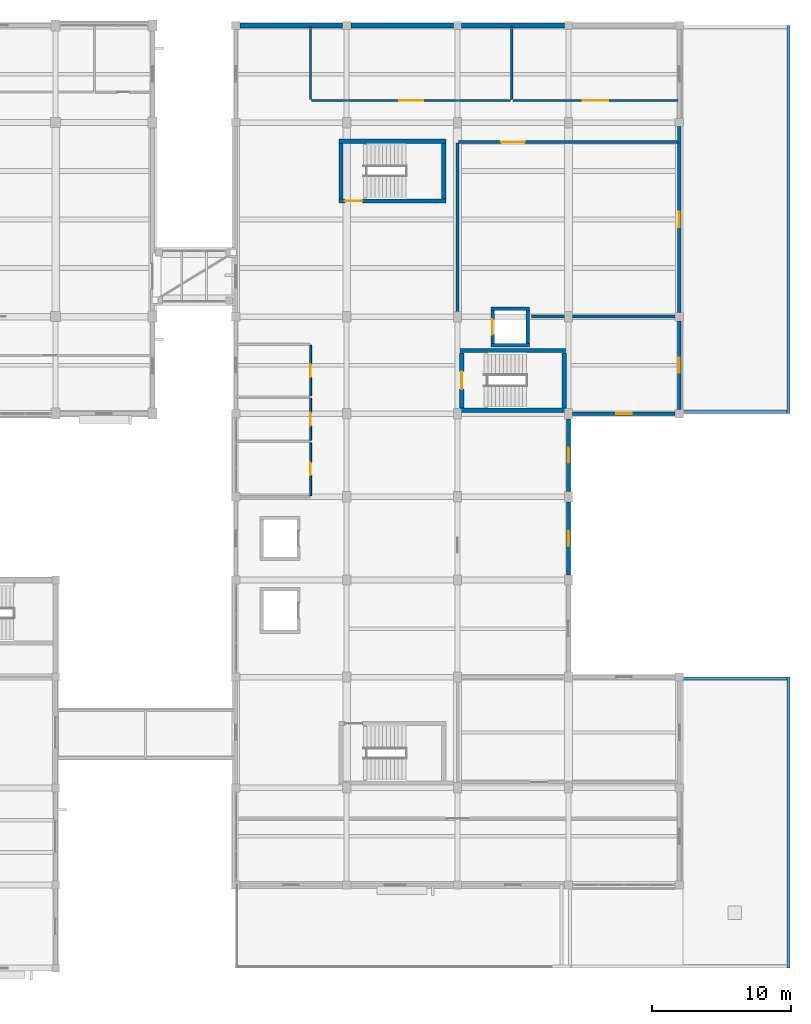
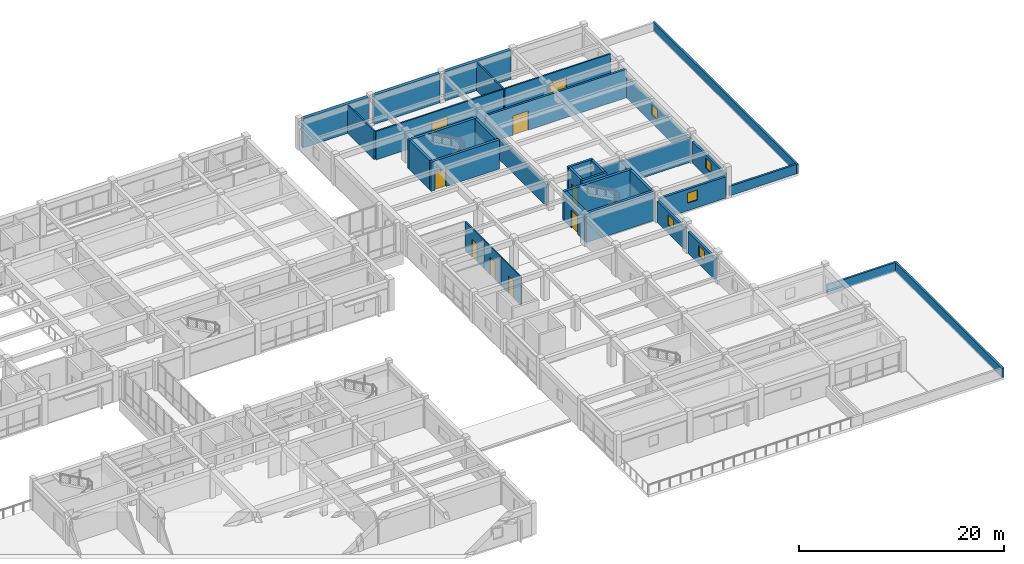
# One storey, part 33 of 42: 34 walls, 9 doors, 5 windows, 14 openings.
"""IFC4 building model written with IfcOpenShell, lengths in metres."""

from ifc_helpers import new_model, si_unit, direction, frame, frame_2d, origin, place, context, subcontext, project, spatial, rectangle, extrude, material, layer, layer_set, type_object, element, fill, save


model = new_model("IFC4")

# Units and contexts
model_context = context("Model", 3, precision=1e-05, world=origin(), true_north=direction((0.0, 1.0)))
body_context = subcontext(model_context, "Body", "Model", "MODEL_VIEW")
ifc_project = project(units=[si_unit("LENGTHUNIT", "METRE"), si_unit("AREAUNIT", "SQUARE_METRE"), si_unit("VOLUMEUNIT", "CUBIC_METRE"), si_unit("PLANEANGLEUNIT", "RADIAN"), si_unit("MASSUNIT", "GRAM", prefix="KILO")], contexts=[model_context])

# Site, building, storey
site_placement = place(None, origin())
site = spatial("IfcSite", under=ifc_project, at=site_placement, CompositionType="ELEMENT")
building_placement = place(site_placement, origin())
building = spatial("IfcBuilding", under=site, at=building_placement, Name="Naurynzar Civic Courthouse", CompositionType="ELEMENT")
storey_placement = place(building_placement, frame((0.0, 0.0, 18.300048828125)))
storey = spatial("IfcBuildingStorey", under=building, at=storey_placement, Name="L05", CompositionType="ELEMENT", Elevation=18.300048828125)

# Wall
ifc_material_1 = material(Name="Acoustic Double-Stud Gypsum Partition")
ifc_layer_1 = layer(ifc_material_1, 0.22998046875)
ifc_layer_set_1 = layer_set([ifc_layer_1], Name="WL-ACOUSTIC-230")
wall_type_1 = type_object("IfcWallType", Name="WL-ACOUSTIC-230", PredefinedType="PARTITIONING", material=ifc_layer_set_1)
wall_1_placement = place(storey_placement, frame((151.35009765625, 51.0, 0.0), z_axis=(0.0, 0.0, 1.0), x_axis=(1.0, 0.0, 0.0)))
element("IfcWall", 1, at=wall_1_placement, inside=storey, type_object=wall_type_1, Name="V5 interior partition L05.601", PredefinedType="PARTITIONING", context=body_context, shape_type="SweptSolid", body=[
    extrude(rectangle(XDim=10.56982421875, YDim=0.22998046875, at=frame_2d((5.284912109375, 0.0))), origin(), (0.0, 0.0, 1.0), 2.820068359375),
])

# Wall, opening, door
wall_2_placement = place(storey_placement, frame((146.080078125, 63.60009765625, 0.0), z_axis=(0.0, 0.0, 1.0), x_axis=(1.0, 0.0, 0.0)))
wall_2 = element("IfcWall", 2, at=wall_2_placement, inside=storey, type_object=wall_type_1, Name="V5 interior partition L05.602", PredefinedType="PARTITIONING", context=body_context, shape_type="SweptSolid", body=[
    extrude(rectangle(XDim=15.83984375, YDim=0.22998046875, at=frame_2d((7.919921875, 0.0))), origin(), (0.0, 0.0, 1.0), 3.389892578125),
])
opening_1_placement = place(wall_2_placement, frame((3.070068359375, 0.0, 0.0)))
opening_1 = element("IfcOpeningElement", 3, at=opening_1_placement, cuts=wall_2, Name="Opening D-341", PredefinedType="OPENING", context=body_context, shape_type="SweptSolid", body=[
    extrude(rectangle(XDim=1.699951171875, YDim=2.300048828125, at=frame_2d((0.85009765625, 1.14990234375))), frame((0.0, 0.125, 0.0), z_axis=(0.0, -1.0, 0.0), x_axis=(1.0, 0.0, 0.0)), (0.0, 0.0, 1.0), 0.25),
])
ifc_material_2 = material(Name="Acoustic Oak Timber Grade A", Category="wood")
door_type_1 = type_object("IfcDoorType", Name="DR-SUITE-1700x2300", OperationType="DOUBLE_DOOR_SINGLE_SWING", PredefinedType="DOOR", material=ifc_material_2)
door_1_placement = place(opening_1_placement, origin())
door_1 = element("IfcDoor", 4, at=door_1_placement, inside=storey, type_object=door_type_1, Name="Interior door D-341 (Criminal Courtroom L05-N)", OperationType="DOUBLE_DOOR_SINGLE_SWING", OverallHeight=2.300048828125, OverallWidth=1.699951171875, PredefinedType="DOOR", context=body_context, shape_type="SweptSolid", body=[
    extrude(rectangle(XDim=1.699951171875, YDim=2.300048828125, at=frame_2d((0.85009765625, 1.14990234375))), frame((0.0, 0.02490234375, 0.0), z_axis=(0.0, -1.0, 0.0), x_axis=(1.0, 0.0, 0.0)), (0.0, 0.0, 1.0), 0.050048828125),
])
fill(opening_1, door_1)

# Walls
wall_3_placement = place(storey_placement, frame((146.0, 51.35009765625, 0.0), z_axis=(0.0, 0.0, 1.0), x_axis=(0.0, 1.0, 0.0)))
element("IfcWall", 5, at=wall_3_placement, inside=storey, type_object=wall_type_1, Name="V5 interior partition L05.647", PredefinedType="PARTITIONING", context=body_context, shape_type="SweptSolid", body=[
    extrude(rectangle(XDim=12.169921875, YDim=0.22998046875, at=frame_2d((6.0849609375, 0.0))), origin(), (0.0, 0.0, 1.0), 2.619873046875),
])
ifc_material_3 = material(Name="Concrete C40/50", Category="concrete")
ifc_layer_2 = layer(ifc_material_3, 0.300048828125)
ifc_layer_set_2 = layer_set([ifc_layer_2], Name="WL-CORE-300")
wall_type_2 = type_object("IfcWallType", Name="WL-CORE-300", PredefinedType="SHEAR", material=ifc_layer_set_2)
wall_4_placement = place(storey_placement, frame((145.14990234375, 63.64990234375, 0.0), z_axis=(0.0, 0.0, 1.0), x_axis=(-1.0, 0.0, 0.0)))
element("IfcWall", 6, at=wall_4_placement, inside=storey, type_object=wall_type_2, Name="Stair ST-V5B enclosure wall north L05", PredefinedType="SHEAR", context=body_context, shape_type="SweptSolid", body=[
    extrude(rectangle(XDim=7.699951171875, YDim=0.300048828125, at=frame_2d((3.85009765625, 0.0))), origin(), (0.0, 0.0, 1.0), 3.469970703125),
])

# Wall, opening, door
wall_5_placement = place(storey_placement, frame((137.449951171875, 59.35009765625, 0.0), z_axis=(0.0, 0.0, 1.0), x_axis=(1.0, 0.0, 0.0)))
wall_5 = element("IfcWall", 7, at=wall_5_placement, inside=storey, type_object=wall_type_2, Name="Stair ST-V5B enclosure wall south L05", PredefinedType="SHEAR", context=body_context, shape_type="SweptSolid", body=[
    extrude(rectangle(XDim=7.699951171875, YDim=0.300048828125, at=frame_2d((3.85009765625, 0.0))), origin(), (0.0, 0.0, 1.0), 3.469970703125),
])
opening_2_placement = place(wall_5_placement, frame((0.425048828125, 0.0, 0.0)))
opening_2 = element("IfcOpeningElement", 8, at=opening_2_placement, cuts=wall_5, Name="Opening SD-073", PredefinedType="OPENING", context=body_context, shape_type="SweptSolid", body=[
    extrude(rectangle(XDim=1.25, YDim=2.14990234375, at=frame_2d((0.625, 1.074951171875))), frame((0.0, 0.159912109375, 0.0), z_axis=(0.0, -1.0, 0.0), x_axis=(1.0, 0.0, 0.0)), (0.0, 0.0, 1.0), 0.320068359375),
])
ifc_material_4 = material(Name="Powder-Coated Galvanised Steel", Category="steel")
door_type_2 = type_object("IfcDoorType", Name="DR-STAIR-1250x2150", OperationType="NOTDEFINED", PredefinedType="DOOR", material=ifc_material_4)
door_2_placement = place(opening_2_placement, origin())
door_2 = element("IfcDoor", 9, at=door_2_placement, inside=storey, type_object=door_type_2, Name="Stair ST-V5B fire door L05", OperationType="SINGLE_SWING_LEFT", OverallHeight=2.14990234375, OverallWidth=1.25, PredefinedType="DOOR", context=body_context, shape_type="SweptSolid", body=[
    extrude(rectangle(XDim=1.25, YDim=2.14990234375, at=frame_2d((0.625, 1.074951171875))), frame((0.0, 0.02490234375, 0.0), z_axis=(0.0, -1.0, 0.0), x_axis=(1.0, 0.0, 0.0)), (0.0, 0.0, 1.0), 0.050048828125),
])
fill(opening_2, door_2)

# Walls
for number, where, z_axis, x_axis, name in (
    (10, (137.60009765625, 63.4951171875, 0.0), (0.0, 0.0, 1.0), (0.0, -1.0, 0.0), "Stair ST-V5B enclosure wall west L05"),
    (11, (145.0, 59.5048828125, 0.0), (0.0, 0.0, 1.0), (0.0, 1.0, 0.0), "Stair ST-V5B enclosure wall east L05"),
):
    element("IfcWall", number, at=place(storey_placement, frame(where, z_axis=z_axis, x_axis=x_axis)), inside=storey, type_object=wall_type_2, Name=name, PredefinedType="SHEAR", context=body_context, shape_type="SweptSolid", body=[
        extrude(rectangle(XDim=3.990234375, YDim=0.300048828125, at=frame_2d((1.9951171875, 0.0))), origin(), (0.0, 0.0, 1.0), 3.469970703125),
    ])
for number, where, z_axis, x_axis, name in (
    (12, (153.85009765625, 48.550048828125, 0.0), (0.0, 0.0, 1.0), (-1.0, 0.0, 0.0), "Stair ST-CUS enclosure wall north L05"),
    (13, (146.14990234375, 44.25, 0.0), (0.0, 0.0, 1.0), (1.0, 0.0, 0.0), "Stair ST-CUS enclosure wall south L05"),
):
    element("IfcWall", number, at=place(storey_placement, frame(where, z_axis=z_axis, x_axis=x_axis)), inside=storey, type_object=wall_type_2, Name=name, PredefinedType="SHEAR", context=body_context, shape_type="SweptSolid", body=[
        extrude(rectangle(XDim=7.7001953125, YDim=0.300048828125, at=frame_2d((3.85009765625, 0.0))), origin(), (0.0, 0.0, 1.0), 3.469970703125),
    ])

# Wall, opening, door
wall_6_placement = place(storey_placement, frame((146.300048828125, 48.39501953125, 0.0), z_axis=(0.0, 0.0, 1.0), x_axis=(0.0, -1.0, 0.0)))
wall_6 = element("IfcWall", 14, at=wall_6_placement, inside=storey, type_object=wall_type_2, Name="Stair ST-CUS enclosure wall west L05", PredefinedType="SHEAR", context=body_context, shape_type="SweptSolid", body=[
    extrude(rectangle(XDim=3.989990234375, YDim=0.300048828125, at=frame_2d((1.9951171875, 0.0))), origin(), (0.0, 0.0, 1.0), 3.469970703125),
])
opening_3_placement = place(wall_6_placement, frame((1.3701171875, 0.0, 0.0)))
opening_3 = element("IfcOpeningElement", 15, at=opening_3_placement, cuts=wall_6, Name="Opening SD-082", PredefinedType="OPENING", context=body_context, shape_type="SweptSolid", body=[
    extrude(rectangle(XDim=1.25, YDim=2.14990234375, at=frame_2d((0.625, 1.074951171875))), frame((0.0, 0.159912109375, 0.0), z_axis=(0.0, -1.0, 0.0), x_axis=(1.0, 0.0, 0.0)), (0.0, 0.0, 1.0), 0.320068359375),
])
door_3_placement = place(opening_3_placement, origin())
door_3 = element("IfcDoor", 16, at=door_3_placement, inside=storey, type_object=door_type_2, Name="Stair ST-CUS fire door L05", OperationType="SINGLE_SWING_RIGHT", OverallHeight=2.14990234375, OverallWidth=1.25, PredefinedType="DOOR", context=body_context, shape_type="SweptSolid", body=[
    extrude(rectangle(XDim=1.25, YDim=2.14990234375, at=frame_2d((0.625, 1.074951171875))), frame((0.0, 0.02490234375, 0.0), z_axis=(0.0, -1.0, 0.0), x_axis=(1.0, 0.0, 0.0)), (0.0, 0.0, 1.0), 0.050048828125),
])
fill(opening_3, door_3)

# Wall
wall_7_placement = place(storey_placement, frame((153.699951171875, 44.405029296875, 0.0), z_axis=(0.0, 0.0, 1.0), x_axis=(0.0, 1.0, 0.0)))
element("IfcWall", 17, at=wall_7_placement, inside=storey, type_object=wall_type_2, Name="Stair ST-CUS enclosure wall east L05", PredefinedType="SHEAR", context=body_context, shape_type="SweptSolid", body=[
    extrude(rectangle(XDim=3.989990234375, YDim=0.300048828125, at=frame_2d((1.9951171875, 0.0))), origin(), (0.0, 0.0, 1.0), 3.469970703125),
])

# Wall, opening, window
ifc_material_5 = material(Name="Precast concrete C40/50", Category="concrete")
ifc_layer_3 = layer(ifc_material_5, 0.260009765625)
ifc_layer_set_3 = layer_set([ifc_layer_3], Name="WL-EXT-260")
wall_type_3 = type_object("IfcWallType", Name="WL-EXT-260", PredefinedType="SOLIDWALL", material=ifc_layer_set_3)
wall_8_placement = place(storey_placement, frame((162.0, 64.699951171875, 0.0), z_axis=(0.0, 0.0, 1.0), x_axis=(0.0, -1.0, 0.0)))
wall_8 = element("IfcWall", 18, at=wall_8_placement, inside=storey, type_object=wall_type_3, Name="V5 exterior wall east_north L05.2.1", PredefinedType="SOLIDWALL", context=body_context, shape_type="SweptSolid", body=[
    extrude(rectangle(XDim=13.39990234375, YDim=0.260009765625, at=frame_2d((6.699951171875, 0.0))), origin(), (0.0, 0.0, 1.0), 2.550048828125),
])
opening_4_placement = place(wall_8_placement, frame((6.14990234375, 0.0, 1.0)))
opening_4 = element("IfcOpeningElement", 19, at=opening_4_placement, cuts=wall_8, Name="Opening WN-15", PredefinedType="OPENING", context=body_context, shape_type="SweptSolid", body=[
    extrude(rectangle(XDim=1.10009765625, YDim=1.199951171875, at=frame_2d((0.550048828125, 0.60009765625))), frame((0.0, 0.139892578125, 0.0), z_axis=(0.0, -1.0, 0.0), x_axis=(1.0, 0.0, 0.0)), (0.0, 0.0, 1.0), 0.280029296875),
])
ifc_material_6 = material(Name="Tempered Laminated Low-E Glass", Category="glass")
window_type = type_object("IfcWindowType", Name="WIN-SEC-1100x1200", PartitioningType="SINGLE_PANEL", PredefinedType="WINDOW", material=ifc_material_6)
window_1_placement = place(opening_4_placement, origin())
window_1 = element("IfcWindow", 20, at=window_1_placement, inside=storey, type_object=window_type, Name="V5 window 325 L05", OverallHeight=1.199951171875, OverallWidth=1.10009765625, PartitioningType="SINGLE_PANEL", PredefinedType="WINDOW", context=body_context, shape_type="SweptSolid", body=[
    extrude(rectangle(XDim=1.10009765625, YDim=1.199951171875, at=frame_2d((0.550048828125, 0.60009765625))), frame((0.0, 0.030029296875, 0.0), z_axis=(0.0, -1.0, 0.0), x_axis=(1.0, 0.0, 0.0)), (0.0, 0.0, 1.0), 0.06005859375),
])
fill(opening_4, window_1)

wall_9_placement = place(storey_placement, frame((162.0, 50.699951171875, 0.0), z_axis=(0.0, 0.0, 1.0), x_axis=(0.0, -1.0, 0.0)))
wall_9 = element("IfcWall", 21, at=wall_9_placement, inside=storey, type_object=wall_type_3, Name="V5 exterior wall east_north L05.3.1", PredefinedType="SOLIDWALL", context=body_context, shape_type="SweptSolid", body=[
    extrude(rectangle(XDim=6.39990234375, YDim=0.260009765625, at=frame_2d((3.199951171875, 0.0))), origin(), (0.0, 0.0, 1.0), 2.550048828125),
])
opening_5_placement = place(wall_9_placement, frame((2.64990234375, 0.0, 1.0)))
opening_5 = element("IfcOpeningElement", 22, at=opening_5_placement, cuts=wall_9, Name="Opening WN-15", PredefinedType="OPENING", context=body_context, shape_type="SweptSolid", body=[
    extrude(rectangle(XDim=1.10009765625, YDim=1.199951171875, at=frame_2d((0.550048828125, 0.60009765625))), frame((0.0, 0.139892578125, 0.0), z_axis=(0.0, -1.0, 0.0), x_axis=(1.0, 0.0, 0.0)), (0.0, 0.0, 1.0), 0.280029296875),
])
window_2_placement = place(opening_5_placement, origin())
window_2 = element("IfcWindow", 23, at=window_2_placement, inside=storey, type_object=window_type, Name="V5 window 326 L05", OverallHeight=1.199951171875, OverallWidth=1.10009765625, PartitioningType="SINGLE_PANEL", PredefinedType="WINDOW", context=body_context, shape_type="SweptSolid", body=[
    extrude(rectangle(XDim=1.10009765625, YDim=1.199951171875, at=frame_2d((0.550048828125, 0.60009765625))), frame((0.0, 0.030029296875, 0.0), z_axis=(0.0, -1.0, 0.0), x_axis=(1.0, 0.0, 0.0)), (0.0, 0.0, 1.0), 0.06005859375),
])
fill(opening_5, window_2)

wall_10_placement = place(storey_placement, frame((161.699951171875, 44.0, 0.0), z_axis=(0.0, 0.0, 1.0), x_axis=(-1.0, 0.0, 0.0)))
wall_10 = element("IfcWall", 24, at=wall_10_placement, inside=storey, type_object=wall_type_3, Name="V5 exterior wall notch_n L05.1.1", PredefinedType="SOLIDWALL", context=body_context, shape_type="SweptSolid", body=[
    extrude(rectangle(XDim=7.39990234375, YDim=0.260009765625, at=frame_2d((3.699951171875, 0.0))), origin(), (0.0, 0.0, 1.0), 2.550048828125),
])
opening_6_placement = place(wall_10_placement, frame((3.14990234375, 0.0, 0.89990234375)))
opening_6 = element("IfcOpeningElement", 25, at=opening_6_placement, cuts=wall_10, Name="Opening WN-15", PredefinedType="OPENING", context=body_context, shape_type="SweptSolid", body=[
    extrude(rectangle(XDim=1.10009765625, YDim=1.199951171875, at=frame_2d((0.550048828125, 0.60009765625))), frame((0.0, 0.139892578125, 0.0), z_axis=(0.0, -1.0, 0.0), x_axis=(1.0, 0.0, 0.0)), (0.0, 0.0, 1.0), 0.280029296875),
])
window_3_placement = place(opening_6_placement, origin())
window_3 = element("IfcWindow", 26, at=window_3_placement, inside=storey, type_object=window_type, Name="V5 window 327 L05", OverallHeight=1.199951171875, OverallWidth=1.10009765625, PartitioningType="SINGLE_PANEL", PredefinedType="WINDOW", context=body_context, shape_type="SweptSolid", body=[
    extrude(rectangle(XDim=1.10009765625, YDim=1.199951171875, at=frame_2d((0.550048828125, 0.60009765625))), frame((0.0, 0.030029296875, 0.0), z_axis=(0.0, -1.0, 0.0), x_axis=(1.0, 0.0, 0.0)), (0.0, 0.0, 1.0), 0.06005859375),
])
fill(opening_6, window_3)

wall_11_placement = place(storey_placement, frame((154.0, 43.625, 0.0), z_axis=(0.0, 0.0, 1.0), x_axis=(0.0, -1.0, 0.0)))
wall_11 = element("IfcWall", 27, at=wall_11_placement, inside=storey, type_object=wall_type_3, Name="V5 exterior wall notch_w L05.1.1", PredefinedType="SOLIDWALL", context=body_context, shape_type="SweptSolid", body=[
    extrude(rectangle(XDim=5.25, YDim=0.260009765625, at=frame_2d((2.625, 0.0))), origin(), (0.0, 0.0, 1.0), 2.550048828125),
])
opening_7_placement = place(wall_11_placement, frame((2.074951171875, 0.0, 1.0)))
opening_7 = element("IfcOpeningElement", 28, at=opening_7_placement, cuts=wall_11, Name="Opening WN-15", PredefinedType="OPENING", context=body_context, shape_type="SweptSolid", body=[
    extrude(rectangle(XDim=1.10009765625, YDim=1.199951171875, at=frame_2d((0.550048828125, 0.60009765625))), frame((0.0, 0.139892578125, 0.0), z_axis=(0.0, -1.0, 0.0), x_axis=(1.0, 0.0, 0.0)), (0.0, 0.0, 1.0), 0.280029296875),
])
window_4_placement = place(opening_7_placement, origin())
window_4 = element("IfcWindow", 29, at=window_4_placement, inside=storey, type_object=window_type, Name="V5 window 328 L05", OverallHeight=1.199951171875, OverallWidth=1.10009765625, PartitioningType="SINGLE_PANEL", PredefinedType="WINDOW", context=body_context, shape_type="SweptSolid", body=[
    extrude(rectangle(XDim=1.10009765625, YDim=1.199951171875, at=frame_2d((0.550048828125, 0.60009765625))), frame((0.0, 0.030029296875, 0.0), z_axis=(0.0, -1.0, 0.0), x_axis=(1.0, 0.0, 0.0)), (0.0, 0.0, 1.0), 0.06005859375),
])
fill(opening_7, window_4)

wall_12_placement = place(storey_placement, frame((154.0, 37.625, 0.0), z_axis=(0.0, 0.0, 1.0), x_axis=(0.0, -1.0, 0.0)))
wall_12 = element("IfcWall", 30, at=wall_12_placement, inside=storey, type_object=wall_type_3, Name="V5 exterior wall notch_w L05.2.1", PredefinedType="SOLIDWALL", context=body_context, shape_type="SweptSolid", body=[
    extrude(rectangle(XDim=5.25, YDim=0.260009765625, at=frame_2d((2.625, 0.0))), origin(), (0.0, 0.0, 1.0), 2.550048828125),
])
opening_8_placement = place(wall_12_placement, frame((2.074951171875, 0.0, 1.0)))
opening_8 = element("IfcOpeningElement", 31, at=opening_8_placement, cuts=wall_12, Name="Opening WN-15", PredefinedType="OPENING", context=body_context, shape_type="SweptSolid", body=[
    extrude(rectangle(XDim=1.10009765625, YDim=1.199951171875, at=frame_2d((0.550048828125, 0.60009765625))), frame((0.0, 0.139892578125, 0.0), z_axis=(0.0, -1.0, 0.0), x_axis=(1.0, 0.0, 0.0)), (0.0, 0.0, 1.0), 0.280029296875),
])
window_5_placement = place(opening_8_placement, origin())
window_5 = element("IfcWindow", 32, at=window_5_placement, inside=storey, type_object=window_type, Name="V5 window 329 L05", OverallHeight=1.199951171875, OverallWidth=1.10009765625, PartitioningType="SINGLE_PANEL", PredefinedType="WINDOW", context=body_context, shape_type="SweptSolid", body=[
    extrude(rectangle(XDim=1.10009765625, YDim=1.199951171875, at=frame_2d((0.550048828125, 0.60009765625))), frame((0.0, 0.030029296875, 0.0), z_axis=(0.0, -1.0, 0.0), x_axis=(1.0, 0.0, 0.0)), (0.0, 0.0, 1.0), 0.06005859375),
])
fill(opening_8, window_5)

# Walls
ifc_material_7 = material(Name="Precast concrete C40/50", Category="concrete")
ifc_layer_4 = layer(ifc_material_7, 0.219970703125)
ifc_layer_set_4 = layer_set([ifc_layer_4], Name="WL-PARA-220")
wall_type_4 = type_object("IfcWallType", Name="WL-PARA-220", PredefinedType="PARAPET", material=ifc_layer_set_4)
wall_13_placement = place(storey_placement, frame((169.8798828125, 71.989990234375, 0.0), z_axis=(0.0, 0.0, 1.0), x_axis=(0.0, -1.0, 0.0)))
element("IfcWall", 33, at=wall_13_placement, inside=storey, type_object=wall_type_4, Name="Roof perimeter parapet V5-E5.19", PredefinedType="PARAPET", context=body_context, shape_type="SweptSolid", body=[
    extrude(rectangle(XDim=27.97998046875, YDim=0.219970703125, at=frame_2d((13.989990234375, 0.0))), origin(), (0.0, 0.0, 1.0), 1.119873046875),
])
wall_14_placement = place(storey_placement, frame((169.77001953125, 44.1201171875, 0.0), z_axis=(0.0, 0.0, 1.0), x_axis=(-1.0, 0.0, 0.0)))
element("IfcWall", 34, at=wall_14_placement, inside=storey, type_object=wall_type_4, Name="Roof perimeter parapet V5-E5.21", PredefinedType="PARAPET", context=body_context, shape_type="SweptSolid", body=[
    extrude(rectangle(XDim=7.5400390625, YDim=0.219970703125, at=frame_2d((3.77001953125, 0.0))), origin(), (0.0, 0.0, 1.0), 1.119873046875),
])
wall_15_placement = place(storey_placement, frame((169.8798828125, 24.989990234375, 0.0), z_axis=(0.0, 0.0, 1.0), x_axis=(0.0, -1.0, 0.0)))
element("IfcWall", 35, at=wall_15_placement, inside=storey, type_object=wall_type_4, Name="Roof perimeter parapet V5-SE5.23", PredefinedType="PARAPET", context=body_context, shape_type="SweptSolid", body=[
    extrude(rectangle(XDim=20.97998046875, YDim=0.219970703125, at=frame_2d((10.489990234375, 0.0))), origin(), (0.0, 0.0, 1.0), 1.119873046875),
])
wall_16_placement = place(storey_placement, frame((162.1201171875, 24.8798828125, 0.0), z_axis=(0.0, 0.0, 1.0), x_axis=(1.0, 0.0, 0.0)))
element("IfcWall", 36, at=wall_16_placement, inside=storey, type_object=wall_type_4, Name="Roof perimeter parapet V5-SE5.24", PredefinedType="PARAPET", context=body_context, shape_type="SweptSolid", body=[
    extrude(rectangle(XDim=7.64990234375, YDim=0.219970703125, at=frame_2d((3.824951171875, 0.0))), origin(), (0.0, 0.0, 1.0), 1.119873046875),
])

# Wall, opening, door
ifc_material_8 = material(Name="Insulated Metal-Stud Gypsum Partition")
ifc_layer_5 = layer(ifc_material_8, 0.159912109375)
ifc_layer_set_5 = layer_set([ifc_layer_5], Name="WL-PART-CHAMB-160")
wall_type_5 = type_object("IfcWallType", Name="WL-PART-CHAMB-160", PredefinedType="PARTITIONING", material=ifc_layer_set_5)
wall_17_placement = place(storey_placement, frame((135.47998046875, 66.60009765625, 0.0), z_axis=(0.0, 0.0, 1.0), x_axis=(1.0, 0.0, 0.0)))
wall_17 = element("IfcWall", 37, at=wall_17_placement, inside=storey, type_object=wall_type_5, Name="V5 interior partition L05.606", PredefinedType="PARTITIONING", context=body_context, shape_type="SweptSolid", body=[
    extrude(rectangle(XDim=14.35009765625, YDim=0.159912109375, at=frame_2d((7.175048828125, 0.0))), origin(), (0.0, 0.0, 1.0), 3.389892578125),
])
opening_9_placement = place(wall_17_placement, frame((6.300048828125, 0.0, 0.0)))
opening_9 = element("IfcOpeningElement", 38, at=opening_9_placement, cuts=wall_17, Name="Opening D-342", PredefinedType="OPENING", context=body_context, shape_type="SweptSolid", body=[
    extrude(rectangle(XDim=1.75, YDim=2.300048828125, at=frame_2d((0.875, 1.14990234375))), frame((0.0, 0.08984375, 0.0), z_axis=(0.0, -1.0, 0.0), x_axis=(1.0, 0.0, 0.0)), (0.0, 0.0, 1.0), 0.179931640625),
])
ifc_material_9 = material(Name="Acoustic Oak Timber Grade A", Category="wood")
door_type_3 = type_object("IfcDoorType", Name="DR-SUITE-1750x2300", OperationType="DOUBLE_DOOR_SINGLE_SWING", PredefinedType="DOOR", material=ifc_material_9)
door_4_placement = place(opening_9_placement, origin())
door_4 = element("IfcDoor", 39, at=door_4_placement, inside=storey, type_object=door_type_3, Name="Interior door D-342 (Judges' Chambers L05-V5-1)", OperationType="DOUBLE_DOOR_SINGLE_SWING", OverallHeight=2.300048828125, OverallWidth=1.75, PredefinedType="DOOR", context=body_context, shape_type="SweptSolid", body=[
    extrude(rectangle(XDim=1.75, YDim=2.300048828125, at=frame_2d((0.875, 1.14990234375))), frame((0.0, 0.02490234375, 0.0), z_axis=(0.0, -1.0, 0.0), x_axis=(1.0, 0.0, 0.0)), (0.0, 0.0, 1.0), 0.050048828125),
])
fill(opening_9, door_4)

wall_18_placement = place(storey_placement, frame((149.989990234375, 66.60009765625, 0.0), z_axis=(0.0, 0.0, 1.0), x_axis=(1.0, 0.0, 0.0)))
wall_18 = element("IfcWall", 40, at=wall_18_placement, inside=storey, type_object=wall_type_5, Name="V5 interior partition L05.607", PredefinedType="PARTITIONING", context=body_context, shape_type="SweptSolid", body=[
    extrude(rectangle(XDim=11.929931640625, YDim=0.159912109375, at=frame_2d((5.96484375, 0.0))), origin(), (0.0, 0.0, 1.0), 3.389892578125),
])
opening_10_placement = place(wall_18_placement, frame((5.0400390625, 0.0, 0.0)))
opening_10 = element("IfcOpeningElement", 41, at=opening_10_placement, cuts=wall_18, Name="Opening D-343", PredefinedType="OPENING", context=body_context, shape_type="SweptSolid", body=[
    extrude(rectangle(XDim=1.85009765625, YDim=2.300048828125, at=frame_2d((0.925048828125, 1.14990234375))), frame((0.0, 0.08984375, 0.0), z_axis=(0.0, -1.0, 0.0), x_axis=(1.0, 0.0, 0.0)), (0.0, 0.0, 1.0), 0.179931640625),
])
ifc_material_10 = material(Name="Acoustic Oak Timber Grade A", Category="wood")
door_type_4 = type_object("IfcDoorType", Name="DR-SUITE-1850x2300", OperationType="DOUBLE_DOOR_SINGLE_SWING", PredefinedType="DOOR", material=ifc_material_10)
door_5_placement = place(opening_10_placement, origin())
door_5 = element("IfcDoor", 42, at=door_5_placement, inside=storey, type_object=door_type_4, Name="Interior door D-343 (Judges' Chambers L05-V5-2)", OperationType="DOUBLE_DOOR_SINGLE_SWING", OverallHeight=2.300048828125, OverallWidth=1.85009765625, PredefinedType="DOOR", context=body_context, shape_type="SweptSolid", body=[
    extrude(rectangle(XDim=1.85009765625, YDim=2.300048828125, at=frame_2d((0.925048828125, 1.14990234375))), frame((0.0, 0.02490234375, 0.0), z_axis=(0.0, -1.0, 0.0), x_axis=(1.0, 0.0, 0.0)), (0.0, 0.0, 1.0), 0.050048828125),
])
fill(opening_10, door_5)

# Walls
for number, where, z_axis, x_axis, name in (
    (43, (135.39990234375, 66.679931640625, 0.0), (0.0, 0.0, 1.0), (0.0, 1.0, 0.0), "V5 interior partition L05.644"),
    (44, (149.909912109375, 66.679931640625, 0.0), (0.0, 0.0, 1.0), (0.0, 1.0, 0.0), "V5 interior partition L05.648"),
):
    element("IfcWall", number, at=place(storey_placement, frame(where, z_axis=z_axis, x_axis=x_axis)), inside=storey, type_object=wall_type_5, Name=name, PredefinedType="PARTITIONING", context=body_context, shape_type="SweptSolid", body=[
        extrude(rectangle(XDim=5.239990234375, YDim=0.159912109375, at=frame_2d((2.6201171875, 0.0))), origin(), (0.0, 0.0, 1.0), 3.389892578125),
    ])

# Wall, opening, door
ifc_material_11 = material(Name="Moisture-Resistant Plumbing Partition")
ifc_layer_6 = layer(ifc_material_11, 0.139892578125)
ifc_layer_set_6 = layer_set([ifc_layer_6], Name="WL-PART-WC-140")
wall_type_6 = type_object("IfcWallType", Name="WL-PART-WC-140", PredefinedType="PLUMBINGWALL", material=ifc_layer_set_6)
wall_19_placement = place(storey_placement, frame((135.39990234375, 38.080078125, 0.0), z_axis=(0.0, 0.0, 1.0), x_axis=(0.0, 1.0, 0.0)))
wall_19 = element("IfcWall", 45, at=wall_19_placement, inside=storey, type_object=wall_type_6, Name="V5 interior partition L05.641", PredefinedType="PLUMBINGWALL", context=body_context, shape_type="SweptSolid", body=[
    extrude(rectangle(XDim=3.83984375, YDim=0.139892578125, at=frame_2d((1.919921875, 0.0))), origin(), (0.0, 0.0, 1.0), 3.389892578125),
])
opening_11_placement = place(wall_19_placement, frame((1.4599609375, 0.0, 0.0)))
opening_11 = element("IfcOpeningElement", 46, at=opening_11_placement, cuts=wall_19, Name="Opening D-335", PredefinedType="OPENING", context=body_context, shape_type="SweptSolid", body=[
    extrude(rectangle(XDim=0.919921875, YDim=2.10009765625, at=frame_2d((0.4599609375, 1.050048828125))), frame((0.0, 0.079833984375, 0.0), z_axis=(0.0, -1.0, 0.0), x_axis=(1.0, 0.0, 0.0)), (0.0, 0.0, 1.0), 0.159912109375),
])
ifc_material_12 = material(Name="Acoustic Oak Timber Grade A", Category="wood")
door_type_5 = type_object("IfcDoorType", Name="DR-WC-STD-920x2100", OperationType="NOTDEFINED", PredefinedType="DOOR", material=ifc_material_12)
door_6_placement = place(opening_11_placement, origin())
door_6 = element("IfcDoor", 47, at=door_6_placement, inside=storey, type_object=door_type_5, Name="Interior door D-335 (Public WC V5)", OperationType="SINGLE_SWING_LEFT", OverallHeight=2.10009765625, OverallWidth=0.919921875, PredefinedType="DOOR", context=body_context, shape_type="SweptSolid", body=[
    extrude(rectangle(XDim=0.919921875, YDim=2.10009765625, at=frame_2d((0.4599609375, 1.050048828125))), frame((0.0, 0.02490234375, 0.0), z_axis=(0.0, -1.0, 0.0), x_axis=(1.0, 0.0, 0.0)), (0.0, 0.0, 1.0), 0.050048828125),
])
fill(opening_11, door_6)

wall_20_placement = place(storey_placement, frame((135.39990234375, 42.080078125, 0.0), z_axis=(0.0, 0.0, 1.0), x_axis=(0.0, 1.0, 0.0)))
wall_20 = element("IfcWall", 48, at=wall_20_placement, inside=storey, type_object=wall_type_6, Name="V5 interior partition L05.642", PredefinedType="PLUMBINGWALL", context=body_context, shape_type="SweptSolid", body=[
    extrude(rectangle(XDim=3.0400390625, YDim=0.139892578125, at=frame_2d((1.52001953125, 0.0))), origin(), (0.0, 0.0, 1.0), 3.389892578125),
])
opening_12_placement = place(wall_20_placement, frame((1.0400390625, 0.0, 0.0)))
opening_12 = element("IfcOpeningElement", 49, at=opening_12_placement, cuts=wall_20, Name="Opening D-336", PredefinedType="OPENING", context=body_context, shape_type="SweptSolid", body=[
    extrude(rectangle(XDim=0.9599609375, YDim=2.10009765625, at=frame_2d((0.47998046875, 1.050048828125))), frame((0.0, 0.079833984375, 0.0), z_axis=(0.0, -1.0, 0.0), x_axis=(1.0, 0.0, 0.0)), (0.0, 0.0, 1.0), 0.159912109375),
])
ifc_material_13 = material(Name="Acoustic Oak Timber Grade A", Category="wood")
door_type_6 = type_object("IfcDoorType", Name="DR-WC-ACC-960x2100", OperationType="NOTDEFINED", PredefinedType="DOOR", material=ifc_material_13)
door_7_placement = place(opening_12_placement, origin())
door_7 = element("IfcDoor", 50, at=door_7_placement, inside=storey, type_object=door_type_6, Name="Interior door D-336 (Accessible WC V5)", OperationType="SINGLE_SWING_RIGHT", OverallHeight=2.10009765625, OverallWidth=0.9599609375, PredefinedType="DOOR", context=body_context, shape_type="SweptSolid", body=[
    extrude(rectangle(XDim=0.9599609375, YDim=2.10009765625, at=frame_2d((0.47998046875, 1.050048828125))), frame((0.0, 0.02490234375, 0.0), z_axis=(0.0, -1.0, 0.0), x_axis=(1.0, 0.0, 0.0)), (0.0, 0.0, 1.0), 0.050048828125),
])
fill(opening_12, door_7)

wall_21_placement = place(storey_placement, frame((135.39990234375, 45.280029296875, 0.0), z_axis=(0.0, 0.0, 1.0), x_axis=(0.0, 1.0, 0.0)))
wall_21 = element("IfcWall", 51, at=wall_21_placement, inside=storey, type_object=wall_type_6, Name="V5 interior partition L05.643", PredefinedType="PLUMBINGWALL", context=body_context, shape_type="SweptSolid", body=[
    extrude(rectangle(XDim=3.639892578125, YDim=0.139892578125, at=frame_2d((1.81982421875, 0.0))), origin(), (0.0, 0.0, 1.0), 3.389892578125),
])
opening_13_placement = place(wall_21_placement, frame((1.360107421875, 0.0, 0.0)))
opening_13 = element("IfcOpeningElement", 52, at=opening_13_placement, cuts=wall_21, Name="Opening D-337", PredefinedType="OPENING", context=body_context, shape_type="SweptSolid", body=[
    extrude(rectangle(XDim=0.919921875, YDim=2.10009765625, at=frame_2d((0.4599609375, 1.050048828125))), frame((0.0, 0.079833984375, 0.0), z_axis=(0.0, -1.0, 0.0), x_axis=(1.0, 0.0, 0.0)), (0.0, 0.0, 1.0), 0.159912109375),
])
door_8_placement = place(opening_13_placement, origin())
door_8 = element("IfcDoor", 53, at=door_8_placement, inside=storey, type_object=door_type_5, Name="Interior door D-337 (Staff WC V5)", OperationType="SINGLE_SWING_LEFT", OverallHeight=2.10009765625, OverallWidth=0.919921875, PredefinedType="DOOR", context=body_context, shape_type="SweptSolid", body=[
    extrude(rectangle(XDim=0.919921875, YDim=2.10009765625, at=frame_2d((0.4599609375, 1.050048828125))), frame((0.0, 0.02490234375, 0.0), z_axis=(0.0, -1.0, 0.0), x_axis=(1.0, 0.0, 0.0)), (0.0, 0.0, 1.0), 0.050048828125),
])
fill(opening_13, door_8)

# Walls
ifc_material_14 = material(Name="Concrete C40/50", Category="concrete")
ifc_layer_7 = layer(ifc_material_14, 0.360107421875)
ifc_layer_set_7 = layer_set([ifc_layer_7], Name="WL-PARTY-360")
wall_type_7 = type_object("IfcWallType", Name="WL-PARTY-360", PredefinedType="SOLIDWALL", material=ifc_layer_set_7)
for number, where, z_axis, x_axis, name in (
    (54, (130.300048828125, 72.0, 0.0), (0.0, 0.0, 1.0), (1.0, 0.0, 0.0), "V5 solid seismic party wall L05 1"),
    (55, (138.300048828125, 72.0, 0.0), (0.0, 0.0, 1.0), (1.0, 0.0, 0.0), "V5 solid seismic party wall L05 2"),
    (56, (146.300048828125, 72.0, 0.0), (0.0, 0.0, 1.0), (1.0, 0.0, 0.0), "V5 solid seismic party wall L05 3"),
):
    element("IfcWall", number, at=place(storey_placement, frame(where, z_axis=z_axis, x_axis=x_axis)), inside=storey, type_object=wall_type_7, Name=name, PredefinedType="SOLIDWALL", context=body_context, shape_type="SweptSolid", body=[
        extrude(rectangle(XDim=7.39990234375, YDim=0.360107421875, at=frame_2d((3.699951171875, 0.0))), origin(), (0.0, 0.0, 1.0), 3.469970703125),
    ])
ifc_material_15 = material(Name="Concrete C40/50", Category="concrete")
ifc_layer_8 = layer(ifc_material_15, 0.25)
ifc_layer_set_8 = layer_set([ifc_layer_8], Name="WL-SHAFT-250")
wall_type_8 = type_object("IfcWallType", Name="WL-SHAFT-250", PredefinedType="SHEAR", material=ifc_layer_set_8)
for number, where, z_axis, x_axis, name in (
    (57, (148.39990234375, 48.925048828125, 0.0), (0.0, 0.0, 1.0), (1.0, 0.0, 0.0), "Lift LF-CUS shaft wall south L05"),
    (58, (151.199951171875, 51.574951171875, 0.0), (0.0, 0.0, 1.0), (-1.0, 0.0, 0.0), "Lift LF-CUS shaft wall north L05"),
):
    element("IfcWall", number, at=place(storey_placement, frame(where, z_axis=z_axis, x_axis=x_axis)), inside=storey, type_object=wall_type_8, Name=name, PredefinedType="SHEAR", context=body_context, shape_type="SweptSolid", body=[
        extrude(rectangle(XDim=2.800048828125, YDim=0.25, at=frame_2d((1.39990234375, 0.0))), origin(), (0.0, 0.0, 1.0), 3.75),
    ])

# Wall, opening, door
wall_22_placement = place(storey_placement, frame((148.52490234375, 51.445068359375, 0.0), z_axis=(0.0, 0.0, 1.0), x_axis=(0.0, -1.0, 0.0)))
wall_22 = element("IfcWall", 59, at=wall_22_placement, inside=storey, type_object=wall_type_8, Name="Lift LF-CUS shaft wall west L05", PredefinedType="SHEAR", context=body_context, shape_type="SweptSolid", body=[
    extrude(rectangle(XDim=2.39013671875, YDim=0.25, at=frame_2d((1.195068359375, 0.0))), origin(), (0.0, 0.0, 1.0), 3.75),
])
opening_14_placement = place(wall_22_placement, frame((0.64501953125, 0.0, 0.0)))
opening_14 = element("IfcOpeningElement", 60, at=opening_14_placement, cuts=wall_22, Name="Opening LD-091", PredefinedType="OPENING", context=body_context, shape_type="SweptSolid", body=[
    extrude(rectangle(XDim=1.10009765625, YDim=2.14990234375, at=frame_2d((0.550048828125, 1.074951171875))), frame((0.0, 0.135009765625, 0.0), z_axis=(0.0, -1.0, 0.0), x_axis=(1.0, 0.0, 0.0)), (0.0, 0.0, 1.0), 0.27001953125),
])
ifc_material_16 = material(Name="Brushed Stainless Steel 304", Category="steel")
door_type_7 = type_object("IfcDoorType", Name="DR-LIFT-SLIDE-1100x2150", OperationType="DOUBLE_DOOR_SLIDING", PredefinedType="DOOR", material=ifc_material_16)
door_9_placement = place(opening_14_placement, origin())
door_9 = element("IfcDoor", 61, at=door_9_placement, inside=storey, type_object=door_type_7, Name="Lift LF-CUS sliding landing door L05", OperationType="DOUBLE_DOOR_SLIDING", OverallHeight=2.14990234375, OverallWidth=1.10009765625, PredefinedType="DOOR", context=body_context, shape_type="SweptSolid", body=[
    extrude(rectangle(XDim=1.10009765625, YDim=2.14990234375, at=frame_2d((0.550048828125, 1.074951171875))), frame((0.0, 0.02490234375, 0.0), z_axis=(0.0, -1.0, 0.0), x_axis=(1.0, 0.0, 0.0)), (0.0, 0.0, 1.0), 0.050048828125),
])
fill(opening_14, door_9)

# Wall
wall_23_placement = place(storey_placement, frame((151.074951171875, 49.054931640625, 0.0), z_axis=(0.0, 0.0, 1.0), x_axis=(0.0, 1.0, 0.0)))
element("IfcWall", 62, at=wall_23_placement, inside=storey, type_object=wall_type_8, Name="Lift LF-CUS shaft wall east L05", PredefinedType="SHEAR", context=body_context, shape_type="SweptSolid", body=[
    extrude(rectangle(XDim=2.39013671875, YDim=0.25, at=frame_2d((1.195068359375, 0.0))), origin(), (0.0, 0.0, 1.0), 3.75),
])

save(model, "model.ifc")
